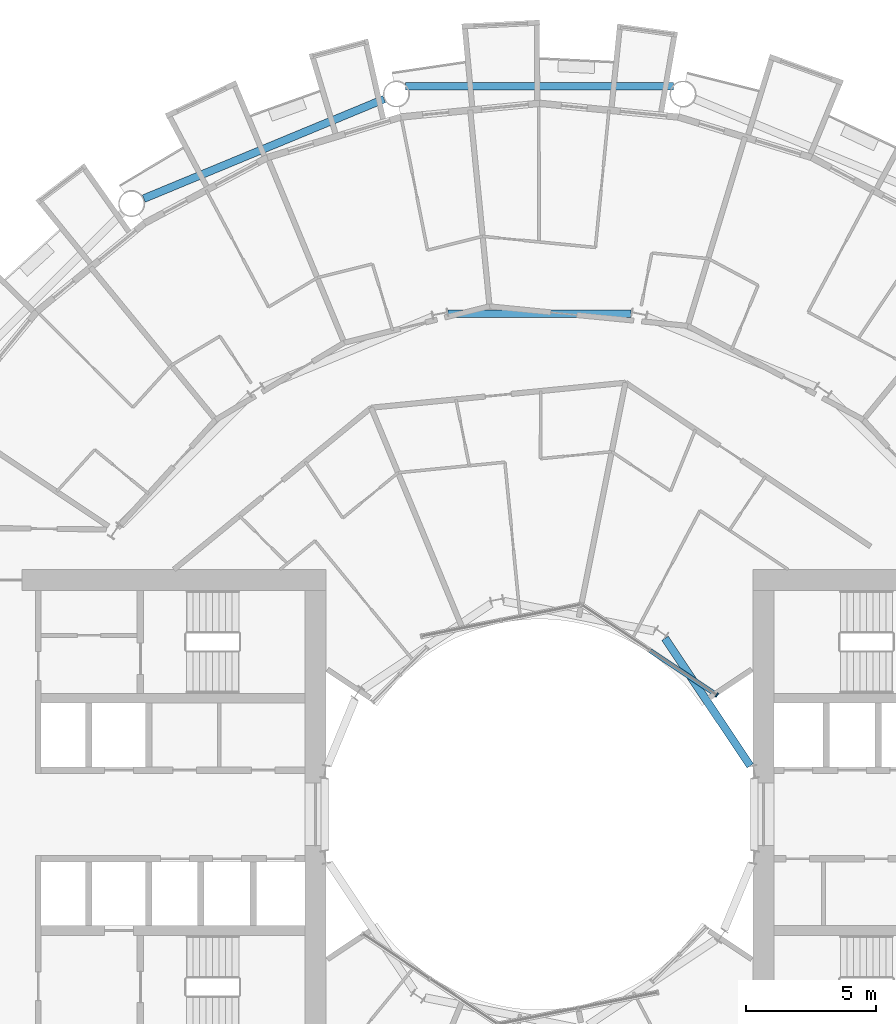
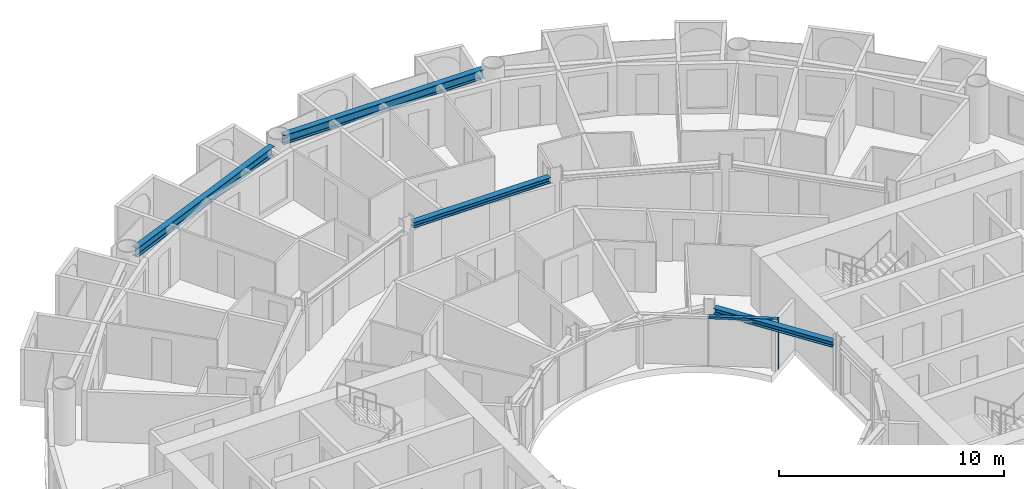
# One storey, part 8 of 26: 4 beams, 2 members, 1 element without a shape of its own.
"""IFC4 building model written with IfcOpenShell, lengths in metres."""

from ifc_helpers import new_model, si_unit, direction, frame, origin, origin_2d, place, context, subcontext, project, spatial, rectangle, i_section, extrude, material, layer, layer_set, material_profile, profile_set, type_object, element, aggregate, save


model = new_model("IFC4")

# Units and contexts
model_context = context("Model", 3, precision=1e-05, world=origin(), true_north=direction((0.0, 1.0)))
body_context = subcontext(model_context, "Body", "Model", "MODEL_VIEW")
ifc_project = project(units=[si_unit("LENGTHUNIT", "METRE"), si_unit("AREAUNIT", "SQUARE_METRE"), si_unit("VOLUMEUNIT", "CUBIC_METRE"), si_unit("PLANEANGLEUNIT", "RADIAN"), si_unit("MASSUNIT", "GRAM", prefix="KILO")], contexts=[model_context])

# Site, building, storey
site_placement = place(None, origin())
site = spatial("IfcSite", under=ifc_project, at=site_placement, CompositionType="ELEMENT")
building_placement = place(site_placement, origin())
building = spatial("IfcBuilding", under=site, at=building_placement, Name="Maasbend Ring Residences", CompositionType="ELEMENT")
storey_placement = place(building_placement, frame((0.0, 0.0, 25.85009765625)))
storey = spatial("IfcBuildingStorey", under=building, at=storey_placement, Name="L06", CompositionType="ELEMENT", Elevation=25.85009765625)

# Curtain wall, members
ifc_material_1 = material(Name="Aluminium and clear glass", Category="aluminium")
ifc_layer = layer(ifc_material_1, 0.179931640625)
ifc_layer_set = layer_set([ifc_layer], Name="CW-W")
curtain_wall_type = type_object("IfcCurtainWallType", Name="CW-W", PredefinedType="NOTDEFINED", material=ifc_layer_set)
curtain_wall_placement = place(storey_placement, origin())
curtain_wall = element("IfcCurtainWall", 1, at=curtain_wall_placement, inside=storey, type_object=curtain_wall_type, Name="Well curtain wall N1", PredefinedType="NOTDEFINED")
ifc_material_2 = material(Name="Aluminium 6063-T6", Category="aluminium")
ifc_material_profile_1 = material_profile(ifc_material_2, rectangle(XDim=0.179931640625, YDim=0.06005859375, at=origin_2d()), Name="AL 180x60")
ifc_profile_set_1 = profile_set([ifc_material_profile_1], Name="Aluminium 6063-T6")
member_type_1 = type_object("IfcMemberType", Name="CWM-W", PredefinedType="MULLION", material=ifc_profile_set_1)
member_1_placement = place(storey_placement, frame((6.805908203125, 4.580810546875, 0.0), z_axis=(0.0, 0.0, 1.0), x_axis=(-0.55557023302, -0.831469612303, 0.0)))
member_1 = element("IfcMember", 2, at=member_1_placement, type_object=member_type_1, Name="Mullion well face", PredefinedType="MULLION", context=body_context, shape_type="SweptSolid", body=[
    extrude(rectangle(XDim=0.179931640625, YDim=0.06005859375, at=origin_2d()), origin(), (0.0, 0.0, 1.0), 2.699951171875),
])
ifc_material_3 = material(Name="Aluminium 6063-T6", Category="aluminium")
ifc_material_profile_2 = material_profile(ifc_material_3, rectangle(XDim=0.179931640625, YDim=0.1201171875, at=origin_2d()), Name="AL 180x120")
ifc_profile_set_2 = profile_set([ifc_material_profile_2], Name="Aluminium 6063-T6")
member_type_2 = type_object("IfcMemberType", Name="CWT-W", PredefinedType="USERDEFINED", material=ifc_profile_set_2)
member_2_placement = place(storey_placement, frame((6.781005859375, 4.59765625, 2.639892578125), z_axis=(-0.831496422459, 0.555530106689, 0.0), x_axis=(-0.555530106689, -0.831496422459, 0.0)))
member_2 = element("IfcMember", 3, at=member_2_placement, type_object=member_type_2, Name="Transom well face", ObjectType="TRANSOM", PredefinedType="USERDEFINED", context=body_context, shape_type="SweptSolid", body=[
    extrude(rectangle(XDim=0.179931640625, YDim=0.1201171875, at=origin_2d()), origin(), (0.0, 0.0, 1.0), 3.053955078125),
])
aggregate(curtain_wall, [member_1, member_2])

# Beams
ifc_material_4 = material(Name="Steel S355J2", Category="steel")
ifc_material_profile_3 = material_profile(ifc_material_4, i_section(OverallWidth=0.300048828125, OverallDepth=0.300048828125, WebThickness=0.010986328125, FlangeThickness=0.01904296875, FilletRadius=0.027099609375, at=origin_2d()), Name="HEB 300")
ifc_profile_set_3 = profile_set([ifc_material_profile_3], Name="Steel S355J2")
beam_type_1 = type_object("IfcBeamType", Name="Corridor ring beam HEB 300", PredefinedType="BEAM", material=ifc_profile_set_3)
beam_1_placement = place(storey_placement, frame((3.5078125, 19.223388671875, 2.5498046875), z_axis=(-1.0, 0.0, 0.0), x_axis=(0.0, -1.0, 0.0)))
element("IfcBeam", 4, at=beam_1_placement, inside=storey, type_object=beam_type_1, Name="Corridor ring beam", PredefinedType="BEAM", context=body_context, shape_type="SweptSolid", body=[
    extrude(i_section(OverallWidth=0.300048828125, OverallDepth=0.300048828125, WebThickness=0.010986328125, FlangeThickness=0.01904296875, FilletRadius=0.027099609375, at=origin_2d()), origin(), (0.0, 0.0, 1.0), 7.015625),
])
ifc_material_5 = material(Name="Steel S355J2", Category="steel")
ifc_material_profile_4 = material_profile(ifc_material_5, i_section(OverallWidth=0.300048828125, OverallDepth=0.5, WebThickness=0.014404296875, FlangeThickness=0.028076171875, FilletRadius=0.027099609375, at=origin_2d()), Name="HEB 500")
ifc_profile_set_4 = profile_set([ifc_material_profile_4], Name="Steel S355J2")
beam_type_2 = type_object("IfcBeamType", Name="Spandrel ring beam HEB 500", PredefinedType="SPANDREL", material=ifc_profile_set_4)
beam_2_placement = place(storey_placement, frame((5.1435546875, 27.9580078125, 2.449951171875), z_axis=(-1.0, 0.0, 0.0), x_axis=(0.0, -1.0, 0.0)))
element("IfcBeam", 5, at=beam_2_placement, inside=storey, type_object=beam_type_2, Name="Spandrel ring beam", PredefinedType="SPANDREL", context=body_context, shape_type="SweptSolid", body=[
    extrude(i_section(OverallWidth=0.300048828125, OverallDepth=0.5, WebThickness=0.014404296875, FlangeThickness=0.028076171875, FilletRadius=0.027099609375, at=origin_2d()), origin(), (0.0, 0.0, 1.0), 10.287109375),
])
beam_3_placement = place(storey_placement, frame((-5.970703125, 27.463623046875, 2.449951171875), z_axis=(-0.923886337442, -0.382667003395, 0.0), x_axis=(0.382667003395, -0.923886337442, 0.0)))
element("IfcBeam", 6, at=beam_3_placement, inside=storey, type_object=beam_type_2, Name="Spandrel ring beam", PredefinedType="SPANDREL", context=body_context, shape_type="SweptSolid", body=[
    extrude(i_section(OverallWidth=0.300048828125, OverallDepth=0.5, WebThickness=0.014404296875, FlangeThickness=0.028076171875, FilletRadius=0.027099609375, at=origin_2d()), origin(), (0.0, 0.0, 1.0), 9.9873046875),
])
ifc_material_6 = material(Name="Steel S355J2", Category="steel")
ifc_material_profile_5 = material_profile(ifc_material_6, i_section(OverallWidth=0.300048828125, OverallDepth=0.300048828125, WebThickness=0.010986328125, FlangeThickness=0.01904296875, FilletRadius=0.027099609375, at=origin_2d()), Name="HEB 300")
ifc_profile_set_5 = profile_set([ifc_material_profile_5], Name="Steel S355J2")
beam_type_3 = type_object("IfcBeamType", Name="Well edge beam HEB 300", PredefinedType="BEAM", material=ifc_profile_set_5)
beam_4_placement = place(storey_placement, frame((8.08837890625, 1.86376953125, 2.5498046875), z_axis=(-0.555589782054, 0.831456549723, 0.0), x_axis=(-0.831456549723, -0.555589782054, 0.0)))
element("IfcBeam", 7, at=beam_4_placement, inside=storey, type_object=beam_type_3, Name="Well edge beam", PredefinedType="BEAM", context=body_context, shape_type="SweptSolid", body=[
    extrude(i_section(OverallWidth=0.300048828125, OverallDepth=0.300048828125, WebThickness=0.010986328125, FlangeThickness=0.01904296875, FilletRadius=0.027099609375, at=origin_2d()), origin(), (0.0, 0.0, 1.0), 5.887939453125),
])

save(model, "model.ifc")
